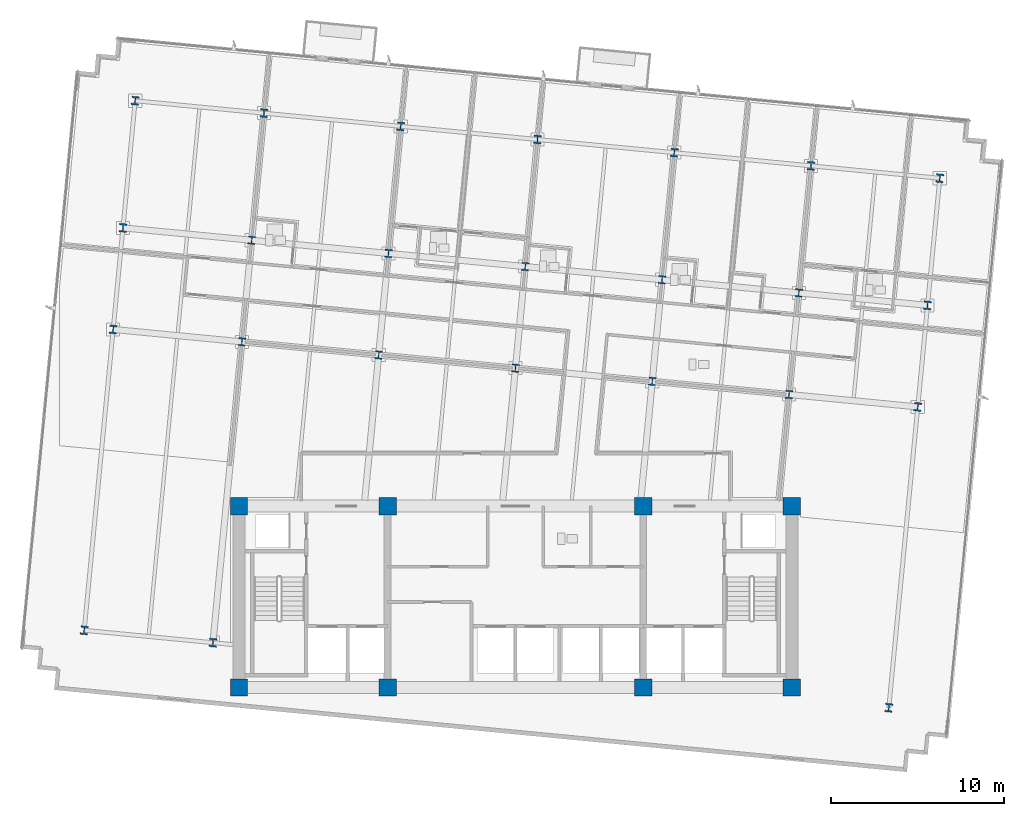
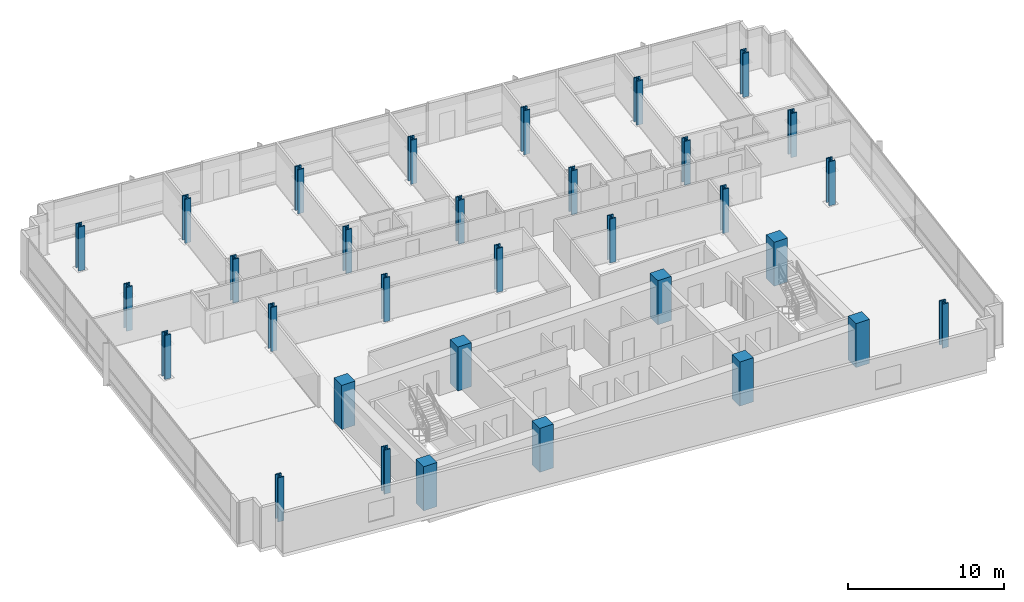
# One storey, part 1 of 17: 32 columns.
"""IFC4 building model written with IfcOpenShell, lengths in metres."""

from ifc_helpers import new_model, si_unit, direction, frame, origin, origin_2d, place, context, subcontext, project, spatial, rectangle, i_section, extrude, material, material_profile, profile_set, type_object, element, save


model = new_model("IFC4")

# Units and contexts
model_context = context("Model", 3, precision=1e-05, world=origin(), true_north=direction((0.0, 1.0)))
body_context = subcontext(model_context, "Body", "Model", "MODEL_VIEW")
ifc_project = project(units=[si_unit("LENGTHUNIT", "METRE"), si_unit("AREAUNIT", "SQUARE_METRE"), si_unit("VOLUMEUNIT", "CUBIC_METRE"), si_unit("PLANEANGLEUNIT", "RADIAN"), si_unit("MASSUNIT", "GRAM", prefix="KILO")], contexts=[model_context])

# Site, building, storey
site_placement = place(None, origin())
site = spatial("IfcSite", under=ifc_project, at=site_placement, CompositionType="ELEMENT")
building_placement = place(site_placement, origin())
building = spatial("IfcBuilding", under=site, at=building_placement, Name="Solmavex Isthmus Hotel", CompositionType="ELEMENT")
storey_placement = place(building_placement, frame((0.0, 0.0, 139.35009765625)))
storey = spatial("IfcBuildingStorey", under=building, at=storey_placement, Name="L37", CompositionType="ELEMENT", Elevation=139.35009765625)

# Columns
ifc_material_1 = material(Name="Concrete C60/75", Category="concrete")
ifc_material_profile_1 = material_profile(ifc_material_1, rectangle(XDim=1.0, YDim=1.0, at=origin_2d()), Name="RC1000X1000")
ifc_profile_set_1 = profile_set([ifc_material_profile_1], Name="Concrete C60/75")
column_type_1 = type_object("IfcColumnType", Name="COL-CC-1000", PredefinedType="COLUMN", material=ifc_profile_set_1)
for number, where, z_axis, x_axis, name in (
    (1, (-16.0, -13.0, 0.0), (0.0, 0.0, 1.0), (1.0, 0.0, 0.0), "Core Pilaster CC-SW L37"),
    (2, (-7.39990234375, -13.0, 0.0), (0.0, 0.0, 1.0), (1.0, 0.0, 0.0), "Core Pilaster CC-S1 L37"),
    (3, (7.39990234375, -13.0, 0.0), (0.0, 0.0, 1.0), (1.0, 0.0, 0.0), "Core Pilaster CC-S2 L37"),
    (4, (16.0, -13.0, 0.0), (0.0, 0.0, 1.0), (1.0, 0.0, 0.0), "Core Pilaster CC-SE L37"),
    (5, (-16.0, -2.5, 0.0), (0.0, 0.0, 1.0), (1.0, 0.0, 0.0), "Core Pilaster CC-NW L37"),
    (6, (-7.39990234375, -2.5, 0.0), (0.0, 0.0, 1.0), (1.0, 0.0, 0.0), "Core Pilaster CC-N1 L37"),
    (7, (7.39990234375, -2.5, 0.0), (0.0, 0.0, 1.0), (1.0, 0.0, 0.0), "Core Pilaster CC-N2 L37"),
    (8, (16.0, -2.5, 0.0), (0.0, 0.0, 1.0), (1.0, 0.0, 0.0), "Core Pilaster CC-NE L37"),
):
    element("IfcColumn", number, at=place(storey_placement, frame(where, z_axis=z_axis, x_axis=x_axis)), inside=storey, type_object=column_type_1, Name=name, PredefinedType="COLUMN", context=body_context, shape_type="SweptSolid", body=[
        extrude(rectangle(XDim=1.0, YDim=1.0, at=origin_2d()), origin(), (0.0, 0.0, 1.0), 3.449951171875),
    ])
ifc_material_2 = material(Name="Steel ASTM A913 Grade 65", Category="steel")
ifc_material_profile_2 = material_profile(ifc_material_2, i_section(OverallWidth=0.424072265625, OverallDepth=0.47412109375, WebThickness=0.047607421875, FlangeThickness=0.0771484375, FilletRadius=0.030517578125, at=origin_2d()), Name="W14X426")
ifc_profile_set_2 = profile_set([ifc_material_profile_2], Name="Steel ASTM A913 Grade 65")
column_type_2 = type_object("IfcColumnType", Name="COL-SC-W14X426", PredefinedType="COLUMN", material=ifc_profile_set_2)
for number, where, z_axis, x_axis, name in (
    (9, (-15.83740234375, 7.015380859375, 0.0), (0.0, 0.0, 1.0), (0.995396198367, -0.09584575252, 0.0), "Tower Column B3-U2V2 L37"),
    (10, (-15.271240234375, 12.896240234375, 0.0), (0.0, 0.0, 1.0), (0.995396198367, -0.09584575252, 0.0), "Tower Column B3-U2V3 L37"),
    (11, (-7.918212890625, 6.2529296875, 0.0), (0.0, 0.0, 1.0), (0.995396198367, -0.09584575252, 0.0), "Tower Column B3-U3V2 L37"),
    (12, (-7.351806640625, 12.1337890625, 0.0), (0.0, 0.0, 1.0), (0.995396198367, -0.09584575252, 0.0), "Tower Column B3-U3V3 L37"),
    (13, (0.001220703125, 5.490234375, 0.0), (0.0, 0.0, 1.0), (0.995396198367, -0.09584575252, 0.0), "Tower Column B3-U4V2 L37"),
    (14, (0.567626953125, 11.37109375, 0.0), (0.0, 0.0, 1.0), (0.995396198367, -0.09584575252, 0.0), "Tower Column B3-U4V3 L37"),
    (15, (7.920654296875, 4.727783203125, 0.0), (0.0, 0.0, 1.0), (0.995396198367, -0.09584575252, 0.0), "Tower Column B3-U5V2 L37"),
    (16, (8.48681640625, 10.608642578125, 0.0), (0.0, 0.0, 1.0), (0.995396198367, -0.09584575252, 0.0), "Tower Column B3-U5V3 L37"),
    (17, (15.840087890625, 3.96533203125, 0.0), (0.0, 0.0, 1.0), (0.995396198367, -0.09584575252, 0.0), "Tower Column B3-U6V2 L37"),
    (18, (16.40625, 9.845947265625, 0.0), (0.0, 0.0, 1.0), (0.995396198367, -0.09584575252, 0.0), "Tower Column B3-U6V3 L37"),
):
    element("IfcColumn", number, at=place(storey_placement, frame(where, z_axis=z_axis, x_axis=x_axis)), inside=storey, type_object=column_type_2, Name=name, PredefinedType="COLUMN", context=body_context, shape_type="SweptSolid", body=[
        extrude(i_section(OverallWidth=0.424072265625, OverallDepth=0.47412109375, WebThickness=0.047607421875, FlangeThickness=0.0771484375, FilletRadius=0.030517578125, at=origin_2d()), origin(), (0.0, 0.0, 1.0), 3.449951171875),
    ])
ifc_material_profile_3 = material_profile(ifc_material_2, i_section(OverallWidth=0.43212890625, OverallDepth=0.497802734375, WebThickness=0.0556640625, FlangeThickness=0.0888671875, FilletRadius=0.030517578125, at=origin_2d()), Name="W14X500")
ifc_profile_set_3 = profile_set([ifc_material_profile_3], Name="Steel ASTM A913 Grade 65")
column_type_3 = type_object("IfcColumnType", Name="COL-SC-W14X500", PredefinedType="COLUMN", material=ifc_profile_set_3)
for number, where, z_axis, x_axis, name in (
    (19, (-24.96826171875, -9.686279296875, 0.0), (0.0, 0.0, 1.0), (0.995396198367, -0.09584575252, 0.0), "Tower Column B3-U1V1 L37"),
    (20, (-23.291015625, 7.733154296875, 0.0), (0.0, 0.0, 1.0), (0.995396198367, -0.09584575252, 0.0), "Tower Column B3-U1V2 L37"),
    (21, (-22.724853515625, 13.614013671875, 0.0), (0.0, 0.0, 1.0), (0.995396198367, -0.09584575252, 0.0), "Tower Column B3-U1V3 L37"),
    (22, (-22.016357421875, 20.971923828125, 0.0), (0.0, 0.0, 1.0), (0.995396198367, -0.09584575252, 0.0), "Tower Column B3-U1V4 L37"),
    (23, (-17.5146484375, -10.404052734375, 0.0), (0.0, 0.0, 1.0), (0.995396198367, -0.09584575252, 0.0), "Tower Column B3-U2V1 L37"),
    (24, (-14.562744140625, 20.254150390625, 0.0), (0.0, 0.0, 1.0), (0.995396198367, -0.09584575252, 0.0), "Tower Column B3-U2V4 L37"),
    (25, (-6.643310546875, 19.49169921875, 0.0), (0.0, 0.0, 1.0), (0.995396198367, -0.09584575252, 0.0), "Tower Column B3-U3V4 L37"),
    (26, (1.276123046875, 18.72900390625, 0.0), (0.0, 0.0, 1.0), (0.995396198367, -0.09584575252, 0.0), "Tower Column B3-U4V4 L37"),
    (27, (9.1953125, 17.966552734375, 0.0), (0.0, 0.0, 1.0), (0.995396198367, -0.09584575252, 0.0), "Tower Column B3-U5V4 L37"),
    (28, (17.11474609375, 17.2041015625, 0.0), (0.0, 0.0, 1.0), (0.995396198367, -0.09584575252, 0.0), "Tower Column B3-U6V4 L37"),
    (29, (21.6162109375, -14.171875, 0.0), (0.0, 0.0, 1.0), (0.995396198367, -0.09584575252, 0.0), "Tower Column B3-U7V1 L37"),
    (30, (23.29345703125, 3.24755859375, 0.0), (0.0, 0.0, 1.0), (0.995396198367, -0.09584575252, 0.0), "Tower Column B3-U7V2 L37"),
    (31, (23.85986328125, 9.12841796875, 0.0), (0.0, 0.0, 1.0), (0.995396198367, -0.09584575252, 0.0), "Tower Column B3-U7V3 L37"),
    (32, (24.568359375, 16.486328125, 0.0), (0.0, 0.0, 1.0), (0.995396198367, -0.09584575252, 0.0), "Tower Column B3-U7V4 L37"),
):
    element("IfcColumn", number, at=place(storey_placement, frame(where, z_axis=z_axis, x_axis=x_axis)), inside=storey, type_object=column_type_3, Name=name, PredefinedType="COLUMN", context=body_context, shape_type="SweptSolid", body=[
        extrude(i_section(OverallWidth=0.43212890625, OverallDepth=0.497802734375, WebThickness=0.0556640625, FlangeThickness=0.0888671875, FilletRadius=0.030517578125, at=origin_2d()), origin(), (0.0, 0.0, 1.0), 3.449951171875),
    ])

save(model, "model.ifc")
